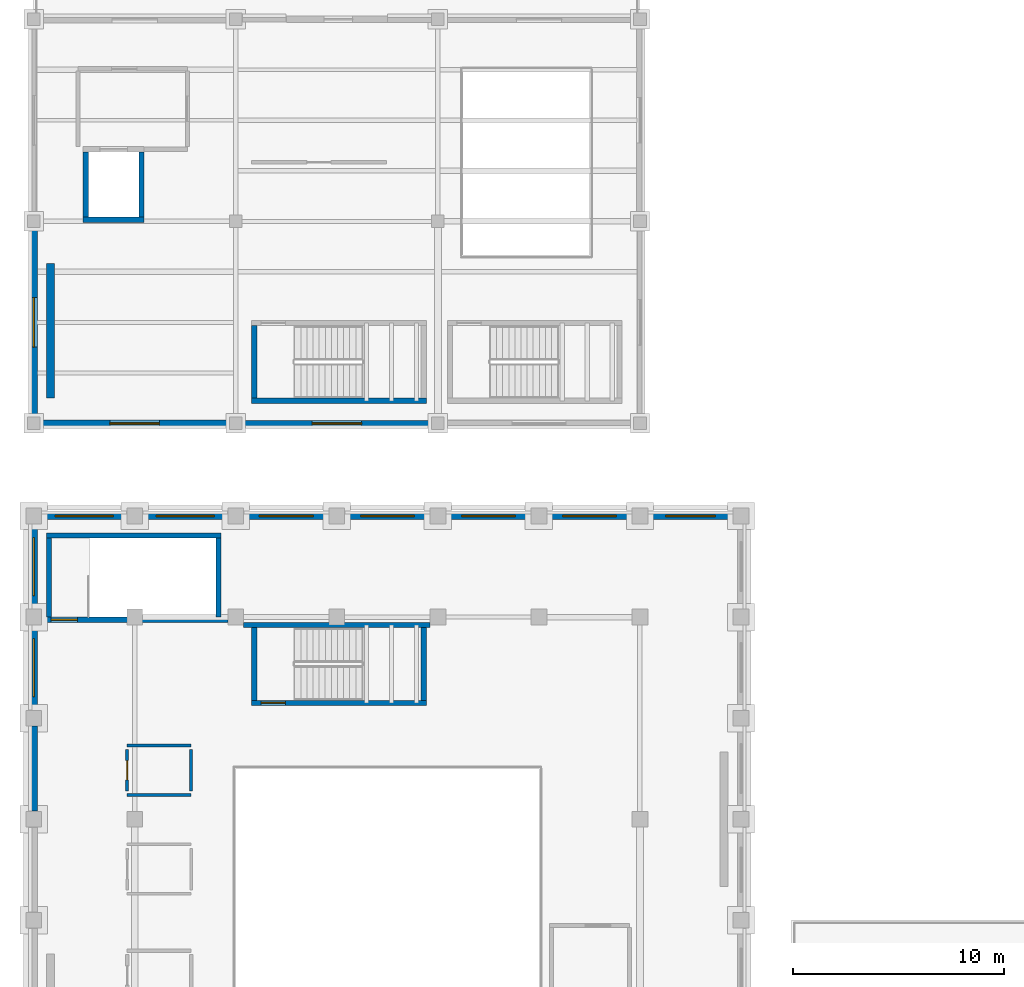
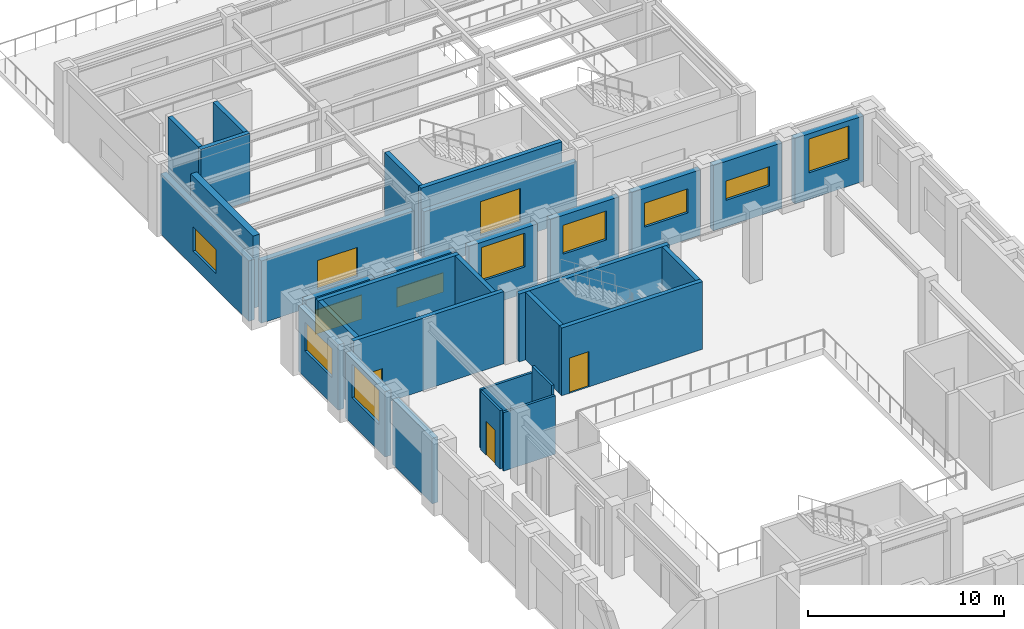
# One storey, part 31 of 46: 31 walls, 12 windows, 3 doors, 15 openings.
"""IFC4 building model written with IfcOpenShell, lengths in metres."""

from ifc_helpers import new_model, si_unit, direction, frame, frame_2d, origin, place, context, subcontext, project, spatial, rectangle, extrude, material, layer, layer_set, type_object, element, fill, save


model = new_model("IFC4")

# Units and contexts
model_context = context("Model", 3, precision=1e-05, world=origin(), true_north=direction((0.0, 1.0)))
body_context = subcontext(model_context, "Body", "Model", "MODEL_VIEW")
ifc_project = project(units=[si_unit("LENGTHUNIT", "METRE"), si_unit("AREAUNIT", "SQUARE_METRE"), si_unit("VOLUMEUNIT", "CUBIC_METRE"), si_unit("PLANEANGLEUNIT", "RADIAN"), si_unit("MASSUNIT", "GRAM", prefix="KILO")], contexts=[model_context])

# Site, building, storey
site_placement = place(None, origin())
site = spatial("IfcSite", under=ifc_project, at=site_placement, CompositionType="ELEMENT")
building_placement = place(site_placement, origin())
building = spatial("IfcBuilding", under=site, at=building_placement, Name="Mavantir Sound Aquarium", CompositionType="ELEMENT")
storey_placement = place(building_placement, frame((0.0, 0.0, 15.300048828125)))
storey = spatial("IfcBuildingStorey", under=building, at=storey_placement, Name="L03", CompositionType="ELEMENT", Elevation=15.300048828125)

# Wall, opening, window
ifc_material_1 = material(Name="Coral-Buff Architectural Precast Concrete C40/50", Category="concrete")
ifc_layer_1 = layer(ifc_material_1, 0.31005859375, Name="Coral-Buff Architectural Precast Concrete C40/50")
ifc_layer_set_1 = layer_set([ifc_layer_1], Name="Coral-Buff Architectural Precast Concrete C40/50")
wall_type_1 = type_object("IfcWallType", Name="EW-CORAL-310", PredefinedType="SOLIDWALL", material=ifc_layer_set_1)
wall_1_placement = place(storey_placement, frame((0.30810546875, 83.60009765625, 0.0), z_axis=(0.0, 0.0, 1.0), x_axis=(1.0, 0.0, 0.0)))
wall_1 = element("IfcWall", 1, at=wall_1_placement, inside=storey, type_object=wall_type_1, Name="L03 exterior facade wall EW-02 374", PredefinedType="SOLIDWALL", context=body_context, shape_type="SweptSolid", body=[
    extrude(rectangle(XDim=8.98388671875, YDim=0.31005859375, at=frame_2d((4.491943359375, 0.0))), origin(), (0.0, 0.0, 1.0), 3.8779296875),
])
opening_1_placement = place(wall_1_placement, frame((3.31689453125, 0.0, 0.949951171875)))
opening_1 = element("IfcOpeningElement", 2, at=opening_1_placement, cuts=wall_1, Name="Opening W-31", PredefinedType="OPENING", context=body_context, shape_type="SweptSolid", body=[
    extrude(rectangle(XDim=2.35009765625, YDim=1.800048828125, at=frame_2d((1.175048828125, 0.89990234375))), frame((0.0, 0.1650390625, 0.0), z_axis=(0.0, -1.0, 0.0), x_axis=(1.0, 0.0, 0.0)), (0.0, 0.0, 1.0), 0.330078125),
])
ifc_material_2 = material(Name="Thermally Broken Aluminium and Low-E Glass", Category="aluminium")
window_type_1 = type_object("IfcWindowType", Name="WIN-EXT-31", PartitioningType="DOUBLE_PANEL_VERTICAL", PredefinedType="WINDOW", material=ifc_material_2)
window_1_placement = place(opening_1_placement, origin())
window_1 = element("IfcWindow", 3, at=window_1_placement, inside=storey, type_object=window_type_1, Name="L03 facade window W-31 175", OverallHeight=1.800048828125, OverallWidth=2.35009765625, PartitioningType="SINGLE_PANEL", PredefinedType="WINDOW", context=body_context, shape_type="SweptSolid", body=[
    extrude(rectangle(XDim=2.35009765625, YDim=1.800048828125, at=frame_2d((1.175048828125, 0.89990234375))), frame((0.0, 0.030029296875, 0.0), z_axis=(0.0, -1.0, 0.0), x_axis=(1.0, 0.0, 0.0)), (0.0, 0.0, 1.0), 0.06005859375),
])
fill(opening_1, window_1)

ifc_layer_2 = layer(ifc_material_1, 0.340087890625, Name="Coral-Buff Architectural Precast Concrete C40/50")
ifc_layer_set_2 = layer_set([ifc_layer_2], Name="Coral-Buff Architectural Precast Concrete C40/50")
wall_type_2 = type_object("IfcWallType", Name="EW-CORAL-340", PredefinedType="SOLIDWALL", material=ifc_layer_set_2)
wall_2_placement = place(storey_placement, frame((33.217041015625, 79.199951171875, 0.0), z_axis=(0.0, 0.0, 1.0), x_axis=(-1.0, 0.0, 0.0)))
wall_2 = element("IfcWall", 4, at=wall_2_placement, inside=storey, type_object=wall_type_2, Name="L03 exterior facade wall EW-01 309", PredefinedType="SOLIDWALL", context=body_context, shape_type="SweptSolid", body=[
    extrude(rectangle(XDim=4.033935546875, YDim=0.340087890625, at=frame_2d((2.01708984375, 0.0))), origin(), (0.0, 0.0, 1.0), 4.074951171875),
])
opening_2_placement = place(wall_2_placement, frame((0.842041015625, 0.0, 1.64990234375)))
opening_2 = element("IfcOpeningElement", 5, at=opening_2_placement, cuts=wall_2, Name="Opening W-32", PredefinedType="OPENING", context=body_context, shape_type="SweptSolid", body=[
    extrude(rectangle(XDim=2.35009765625, YDim=2.10009765625, at=frame_2d((1.175048828125, 1.050048828125))), frame((0.0, 0.18017578125, 0.0), z_axis=(0.0, -1.0, 0.0), x_axis=(1.0, 0.0, 0.0)), (0.0, 0.0, 1.0), 0.360107421875),
])
window_type_2 = type_object("IfcWindowType", Name="WIN-EXT-32", PartitioningType="DOUBLE_PANEL_VERTICAL", PredefinedType="WINDOW", material=ifc_material_2)
window_2_placement = place(opening_2_placement, origin())
window_2 = element("IfcWindow", 6, at=window_2_placement, inside=storey, type_object=window_type_2, Name="L03 facade window W-32 128", OverallHeight=2.10009765625, OverallWidth=2.35009765625, PartitioningType="SINGLE_PANEL", PredefinedType="WINDOW", context=body_context, shape_type="SweptSolid", body=[
    extrude(rectangle(XDim=2.35009765625, YDim=2.10009765625, at=frame_2d((1.175048828125, 1.050048828125))), frame((0.0, 0.030029296875, 0.0), z_axis=(0.0, -1.0, 0.0), x_axis=(1.0, 0.0, 0.0)), (0.0, 0.0, 1.0), 0.06005859375),
])
fill(opening_2, window_2)

wall_3_placement = place(storey_placement, frame((28.4169921875, 79.199951171875, 0.0), z_axis=(0.0, 0.0, 1.0), x_axis=(-1.0, 0.0, 0.0)))
wall_3 = element("IfcWall", 7, at=wall_3_placement, inside=storey, type_object=wall_type_2, Name="L03 exterior facade wall EW-01 310", PredefinedType="SOLIDWALL", context=body_context, shape_type="SweptSolid", body=[
    extrude(rectangle(XDim=4.033935546875, YDim=0.340087890625, at=frame_2d((2.01708984375, 0.0))), origin(), (0.0, 0.0, 1.0), 4.074951171875),
])
opening_3_placement = place(wall_3_placement, frame((0.741943359375, 0.0, 1.64990234375)))
opening_3 = element("IfcOpeningElement", 8, at=opening_3_placement, cuts=wall_3, Name="Opening W-33", PredefinedType="OPENING", context=body_context, shape_type="SweptSolid", body=[
    extrude(rectangle(XDim=2.550048828125, YDim=1.199951171875, at=frame_2d((1.27490234375, 0.60009765625))), frame((0.0, 0.18017578125, 0.0), z_axis=(0.0, -1.0, 0.0), x_axis=(1.0, 0.0, 0.0)), (0.0, 0.0, 1.0), 0.360107421875),
])
window_type_3 = type_object("IfcWindowType", Name="WIN-EXT-33", PartitioningType="TRIPLE_PANEL_VERTICAL", PredefinedType="WINDOW", material=ifc_material_2)
window_3_placement = place(opening_3_placement, origin())
window_3 = element("IfcWindow", 9, at=window_3_placement, inside=storey, type_object=window_type_3, Name="L03 facade window W-33 129", OverallHeight=1.199951171875, OverallWidth=2.550048828125, PartitioningType="SINGLE_PANEL", PredefinedType="WINDOW", context=body_context, shape_type="SweptSolid", body=[
    extrude(rectangle(XDim=2.550048828125, YDim=1.199951171875, at=frame_2d((1.27490234375, 0.60009765625))), frame((0.0, 0.030029296875, 0.0), z_axis=(0.0, -1.0, 0.0), x_axis=(1.0, 0.0, 0.0)), (0.0, 0.0, 1.0), 0.06005859375),
])
fill(opening_3, window_3)

wall_4_placement = place(storey_placement, frame((23.616943359375, 79.199951171875, 0.0), z_axis=(0.0, 0.0, 1.0), x_axis=(-1.0, 0.0, 0.0)))
wall_4 = element("IfcWall", 10, at=wall_4_placement, inside=storey, type_object=wall_type_2, Name="L03 exterior facade wall EW-01 311", PredefinedType="SOLIDWALL", context=body_context, shape_type="SweptSolid", body=[
    extrude(rectangle(XDim=4.033935546875, YDim=0.340087890625, at=frame_2d((2.01708984375, 0.0))), origin(), (0.0, 0.0, 1.0), 4.074951171875),
])
opening_4_placement = place(wall_4_placement, frame((0.741943359375, 0.0, 1.64990234375)))
opening_4 = element("IfcOpeningElement", 11, at=opening_4_placement, cuts=wall_4, Name="Opening W-34", PredefinedType="OPENING", context=body_context, shape_type="SweptSolid", body=[
    extrude(rectangle(XDim=2.550048828125, YDim=1.5, at=frame_2d((1.27490234375, 0.75))), frame((0.0, 0.18017578125, 0.0), z_axis=(0.0, -1.0, 0.0), x_axis=(1.0, 0.0, 0.0)), (0.0, 0.0, 1.0), 0.360107421875),
])
window_type_4 = type_object("IfcWindowType", Name="WIN-EXT-34", PartitioningType="TRIPLE_PANEL_VERTICAL", PredefinedType="WINDOW", material=ifc_material_2)
window_4_placement = place(opening_4_placement, origin())
window_4 = element("IfcWindow", 12, at=window_4_placement, inside=storey, type_object=window_type_4, Name="L03 facade window W-34 130", OverallHeight=1.5, OverallWidth=2.550048828125, PartitioningType="SINGLE_PANEL", PredefinedType="WINDOW", context=body_context, shape_type="SweptSolid", body=[
    extrude(rectangle(XDim=2.550048828125, YDim=1.5, at=frame_2d((1.27490234375, 0.75))), frame((0.0, 0.030029296875, 0.0), z_axis=(0.0, -1.0, 0.0), x_axis=(1.0, 0.0, 0.0)), (0.0, 0.0, 1.0), 0.06005859375),
])
fill(opening_4, window_4)

wall_5_placement = place(storey_placement, frame((18.81689453125, 79.199951171875, 0.0), z_axis=(0.0, 0.0, 1.0), x_axis=(-1.0, 0.0, 0.0)))
wall_5 = element("IfcWall", 13, at=wall_5_placement, inside=storey, type_object=wall_type_2, Name="L03 exterior facade wall EW-01 312", PredefinedType="SOLIDWALL", context=body_context, shape_type="SweptSolid", body=[
    extrude(rectangle(XDim=4.033935546875, YDim=0.340087890625, at=frame_2d((2.01708984375, 0.0))), origin(), (0.0, 0.0, 1.0), 4.074951171875),
])
opening_5_placement = place(wall_5_placement, frame((0.741943359375, 0.0, 1.64990234375)))
opening_5 = element("IfcOpeningElement", 14, at=opening_5_placement, cuts=wall_5, Name="Opening W-35", PredefinedType="OPENING", context=body_context, shape_type="SweptSolid", body=[
    extrude(rectangle(XDim=2.550048828125, YDim=1.800048828125, at=frame_2d((1.27490234375, 0.89990234375))), frame((0.0, 0.18017578125, 0.0), z_axis=(0.0, -1.0, 0.0), x_axis=(1.0, 0.0, 0.0)), (0.0, 0.0, 1.0), 0.360107421875),
])
window_type_5 = type_object("IfcWindowType", Name="WIN-EXT-35", PartitioningType="TRIPLE_PANEL_VERTICAL", PredefinedType="WINDOW", material=ifc_material_2)
window_5_placement = place(opening_5_placement, origin())
window_5 = element("IfcWindow", 15, at=window_5_placement, inside=storey, type_object=window_type_5, Name="L03 facade window W-35 131", OverallHeight=1.800048828125, OverallWidth=2.550048828125, PartitioningType="SINGLE_PANEL", PredefinedType="WINDOW", context=body_context, shape_type="SweptSolid", body=[
    extrude(rectangle(XDim=2.550048828125, YDim=1.800048828125, at=frame_2d((1.27490234375, 0.89990234375))), frame((0.0, 0.030029296875, 0.0), z_axis=(0.0, -1.0, 0.0), x_axis=(1.0, 0.0, 0.0)), (0.0, 0.0, 1.0), 0.06005859375),
])
fill(opening_5, window_5)

wall_6_placement = place(storey_placement, frame((14.01708984375, 79.199951171875, 0.0), z_axis=(0.0, 0.0, 1.0), x_axis=(-1.0, 0.0, 0.0)))
wall_6 = element("IfcWall", 16, at=wall_6_placement, inside=storey, type_object=wall_type_2, Name="L03 exterior facade wall EW-01 313", PredefinedType="SOLIDWALL", context=body_context, shape_type="SweptSolid", body=[
    extrude(rectangle(XDim=4.0341796875, YDim=0.340087890625, at=frame_2d((2.01708984375, 0.0))), origin(), (0.0, 0.0, 1.0), 4.074951171875),
])
opening_6_placement = place(wall_6_placement, frame((0.741943359375, 0.0, 1.64990234375)))
opening_6 = element("IfcOpeningElement", 17, at=opening_6_placement, cuts=wall_6, Name="Opening W-36", PredefinedType="OPENING", context=body_context, shape_type="SweptSolid", body=[
    extrude(rectangle(XDim=2.550048828125, YDim=2.10009765625, at=frame_2d((1.27490234375, 1.050048828125))), frame((0.0, 0.18017578125, 0.0), z_axis=(0.0, -1.0, 0.0), x_axis=(1.0, 0.0, 0.0)), (0.0, 0.0, 1.0), 0.360107421875),
])
window_type_6 = type_object("IfcWindowType", Name="WIN-EXT-36", PartitioningType="TRIPLE_PANEL_VERTICAL", PredefinedType="WINDOW", material=ifc_material_2)
window_6_placement = place(opening_6_placement, origin())
window_6 = element("IfcWindow", 18, at=window_6_placement, inside=storey, type_object=window_type_6, Name="L03 facade window W-36 132", OverallHeight=2.10009765625, OverallWidth=2.550048828125, PartitioningType="SINGLE_PANEL", PredefinedType="WINDOW", context=body_context, shape_type="SweptSolid", body=[
    extrude(rectangle(XDim=2.550048828125, YDim=2.10009765625, at=frame_2d((1.27490234375, 1.050048828125))), frame((0.0, 0.030029296875, 0.0), z_axis=(0.0, -1.0, 0.0), x_axis=(1.0, 0.0, 0.0)), (0.0, 0.0, 1.0), 0.06005859375),
])
fill(opening_6, window_6)

wall_7_placement = place(storey_placement, frame((9.217041015625, 79.199951171875, 0.0), z_axis=(0.0, 0.0, 1.0), x_axis=(-1.0, 0.0, 0.0)))
wall_7 = element("IfcWall", 19, at=wall_7_placement, inside=storey, type_object=wall_type_2, Name="L03 exterior facade wall EW-01 314", PredefinedType="SOLIDWALL", context=body_context, shape_type="SweptSolid", body=[
    extrude(rectangle(XDim=4.033935546875, YDim=0.340087890625, at=frame_2d((2.01708984375, 0.0))), origin(), (0.0, 0.0, 1.0), 4.074951171875),
])
opening_7_placement = place(wall_7_placement, frame((0.64208984375, 0.0, 1.64990234375)))
opening_7 = element("IfcOpeningElement", 20, at=opening_7_placement, cuts=wall_7, Name="Opening W-37", PredefinedType="OPENING", context=body_context, shape_type="SweptSolid", body=[
    extrude(rectangle(XDim=2.75, YDim=1.199951171875, at=frame_2d((1.375, 0.60009765625))), frame((0.0, 0.18017578125, 0.0), z_axis=(0.0, -1.0, 0.0), x_axis=(1.0, 0.0, 0.0)), (0.0, 0.0, 1.0), 0.360107421875),
])
window_type_7 = type_object("IfcWindowType", Name="WIN-EXT-37", PartitioningType="TRIPLE_PANEL_VERTICAL", PredefinedType="WINDOW", material=ifc_material_2)
window_7_placement = place(opening_7_placement, origin())
window_7 = element("IfcWindow", 21, at=window_7_placement, inside=storey, type_object=window_type_7, Name="L03 facade window W-37 133", OverallHeight=1.199951171875, OverallWidth=2.75, PartitioningType="SINGLE_PANEL", PredefinedType="WINDOW", context=body_context, shape_type="SweptSolid", body=[
    extrude(rectangle(XDim=2.75, YDim=1.199951171875, at=frame_2d((1.375, 0.60009765625))), frame((0.0, 0.030029296875, 0.0), z_axis=(0.0, -1.0, 0.0), x_axis=(1.0, 0.0, 0.0)), (0.0, 0.0, 1.0), 0.06005859375),
])
fill(opening_7, window_7)

wall_8_placement = place(storey_placement, frame((4.4169921875, 79.199951171875, 0.0), z_axis=(0.0, 0.0, 1.0), x_axis=(-1.0, 0.0, 0.0)))
wall_8 = element("IfcWall", 22, at=wall_8_placement, inside=storey, type_object=wall_type_2, Name="L03 exterior facade wall EW-01 315", PredefinedType="SOLIDWALL", context=body_context, shape_type="SweptSolid", body=[
    extrude(rectangle(XDim=4.033935546875, YDim=0.340087890625, at=frame_2d((2.01708984375, 0.0))), origin(), (0.0, 0.0, 1.0), 4.074951171875),
])
opening_8_placement = place(wall_8_placement, frame((0.64208984375, 0.0, 1.64990234375)))
opening_8 = element("IfcOpeningElement", 23, at=opening_8_placement, cuts=wall_8, Name="Opening W-38", PredefinedType="OPENING", context=body_context, shape_type="SweptSolid", body=[
    extrude(rectangle(XDim=2.75, YDim=1.5, at=frame_2d((1.375, 0.75))), frame((0.0, 0.18017578125, 0.0), z_axis=(0.0, -1.0, 0.0), x_axis=(1.0, 0.0, 0.0)), (0.0, 0.0, 1.0), 0.360107421875),
])
window_type_8 = type_object("IfcWindowType", Name="WIN-EXT-38", PartitioningType="TRIPLE_PANEL_VERTICAL", PredefinedType="WINDOW", material=ifc_material_2)
window_8_placement = place(opening_8_placement, origin())
window_8 = element("IfcWindow", 24, at=window_8_placement, inside=storey, type_object=window_type_8, Name="L03 facade window W-38 134", OverallHeight=1.5, OverallWidth=2.75, PartitioningType="SINGLE_PANEL", PredefinedType="WINDOW", context=body_context, shape_type="SweptSolid", body=[
    extrude(rectangle(XDim=2.75, YDim=1.5, at=frame_2d((1.375, 0.75))), frame((0.0, 0.030029296875, 0.0), z_axis=(0.0, -1.0, 0.0), x_axis=(1.0, 0.0, 0.0)), (0.0, 0.0, 1.0), 0.06005859375),
])
fill(opening_8, window_8)

wall_9_placement = place(storey_placement, frame((0.0, 78.81689453125, 0.0), z_axis=(0.0, 0.0, 1.0), x_axis=(0.0, -1.0, 0.0)))
wall_9 = element("IfcWall", 25, at=wall_9_placement, inside=storey, type_object=wall_type_2, Name="L03 exterior facade wall EW-01 316", PredefinedType="SOLIDWALL", context=body_context, shape_type="SweptSolid", body=[
    extrude(rectangle(XDim=4.033935546875, YDim=0.340087890625, at=frame_2d((2.01708984375, 0.0))), origin(), (0.0, 0.0, 1.0), 4.074951171875),
])
opening_9_placement = place(wall_9_placement, frame((0.64208984375, 0.0, 1.64990234375)))
opening_9 = element("IfcOpeningElement", 26, at=opening_9_placement, cuts=wall_9, Name="Opening W-39", PredefinedType="OPENING", context=body_context, shape_type="SweptSolid", body=[
    extrude(rectangle(XDim=2.75, YDim=1.800048828125, at=frame_2d((1.375, 0.89990234375))), frame((0.0, 0.18017578125, 0.0), z_axis=(0.0, -1.0, 0.0), x_axis=(1.0, 0.0, 0.0)), (0.0, 0.0, 1.0), 0.360107421875),
])
window_type_9 = type_object("IfcWindowType", Name="WIN-EXT-39", PartitioningType="TRIPLE_PANEL_VERTICAL", PredefinedType="WINDOW", material=ifc_material_2)
window_9_placement = place(opening_9_placement, origin())
window_9 = element("IfcWindow", 27, at=window_9_placement, inside=storey, type_object=window_type_9, Name="L03 facade window W-39 135", OverallHeight=1.800048828125, OverallWidth=2.75, PartitioningType="SINGLE_PANEL", PredefinedType="WINDOW", context=body_context, shape_type="SweptSolid", body=[
    extrude(rectangle(XDim=2.75, YDim=1.800048828125, at=frame_2d((1.375, 0.89990234375))), frame((0.0, 0.030029296875, 0.0), z_axis=(0.0, -1.0, 0.0), x_axis=(1.0, 0.0, 0.0)), (0.0, 0.0, 1.0), 0.06005859375),
])
fill(opening_9, window_9)

wall_10_placement = place(storey_placement, frame((0.0, 74.01708984375, 0.0), z_axis=(0.0, 0.0, 1.0), x_axis=(0.0, -1.0, 0.0)))
wall_10 = element("IfcWall", 28, at=wall_10_placement, inside=storey, type_object=wall_type_2, Name="L03 exterior facade wall EW-01 317", PredefinedType="SOLIDWALL", context=body_context, shape_type="SweptSolid", body=[
    extrude(rectangle(XDim=4.0341796875, YDim=0.340087890625, at=frame_2d((2.01708984375, 0.0))), origin(), (0.0, 0.0, 1.0), 4.074951171875),
])
opening_10_placement = place(wall_10_placement, frame((0.64208984375, 0.0, 1.64990234375)))
opening_10 = element("IfcOpeningElement", 29, at=opening_10_placement, cuts=wall_10, Name="Opening W-40", PredefinedType="OPENING", context=body_context, shape_type="SweptSolid", body=[
    extrude(rectangle(XDim=2.75, YDim=2.10009765625, at=frame_2d((1.375, 1.050048828125))), frame((0.0, 0.18017578125, 0.0), z_axis=(0.0, -1.0, 0.0), x_axis=(1.0, 0.0, 0.0)), (0.0, 0.0, 1.0), 0.360107421875),
])
window_type_10 = type_object("IfcWindowType", Name="WIN-EXT-40", PartitioningType="TRIPLE_PANEL_VERTICAL", PredefinedType="WINDOW", material=ifc_material_2)
window_10_placement = place(opening_10_placement, origin())
window_10 = element("IfcWindow", 30, at=window_10_placement, inside=storey, type_object=window_type_10, Name="L03 facade window W-40 136", OverallHeight=2.10009765625, OverallWidth=2.75, PartitioningType="SINGLE_PANEL", PredefinedType="WINDOW", context=body_context, shape_type="SweptSolid", body=[
    extrude(rectangle(XDim=2.75, YDim=2.10009765625, at=frame_2d((1.375, 1.050048828125))), frame((0.0, 0.030029296875, 0.0), z_axis=(0.0, -1.0, 0.0), x_axis=(1.0, 0.0, 0.0)), (0.0, 0.0, 1.0), 0.06005859375),
])
fill(opening_10, window_10)

# Wall
wall_11_placement = place(storey_placement, frame((0.0, 69.217041015625, 0.0), z_axis=(0.0, 0.0, 1.0), x_axis=(0.0, -1.0, 0.0)))
element("IfcWall", 31, at=wall_11_placement, inside=storey, type_object=wall_type_2, Name="L03 exterior facade wall EW-01 318", PredefinedType="SOLIDWALL", context=body_context, shape_type="SweptSolid", body=[
    extrude(rectangle(XDim=4.033935546875, YDim=0.340087890625, at=frame_2d((2.01708984375, 0.0))), origin(), (0.0, 0.0, 1.0), 4.074951171875),
])

# Wall, opening, window
wall_12_placement = place(storey_placement, frame((0.0, 92.89208984375, 0.0), z_axis=(0.0, 0.0, 1.0), x_axis=(0.0, -1.0, 0.0)))
wall_12 = element("IfcWall", 32, at=wall_12_placement, inside=storey, type_object=wall_type_2, Name="L03 exterior facade wall EW-01 373", PredefinedType="SOLIDWALL", context=body_context, shape_type="SweptSolid", body=[
    extrude(rectangle(XDim=8.984130859375, YDim=0.340087890625, at=frame_2d((4.4921875, 0.0))), origin(), (0.0, 0.0, 1.0), 3.76904296875),
])
opening_11_placement = place(wall_12_placement, frame((3.31689453125, 0.0, 0.949951171875)))
opening_11 = element("IfcOpeningElement", 33, at=opening_11_placement, cuts=wall_12, Name="Opening W-30", PredefinedType="OPENING", context=body_context, shape_type="SweptSolid", body=[
    extrude(rectangle(XDim=2.35009765625, YDim=1.5, at=frame_2d((1.175048828125, 0.75))), frame((0.0, 0.18017578125, 0.0), z_axis=(0.0, -1.0, 0.0), x_axis=(1.0, 0.0, 0.0)), (0.0, 0.0, 1.0), 0.360107421875),
])
window_type_11 = type_object("IfcWindowType", Name="WIN-EXT-30", PartitioningType="DOUBLE_PANEL_VERTICAL", PredefinedType="WINDOW", material=ifc_material_2)
window_11_placement = place(opening_11_placement, origin())
window_11 = element("IfcWindow", 34, at=window_11_placement, inside=storey, type_object=window_type_11, Name="L03 facade window W-30 174", OverallHeight=1.5, OverallWidth=2.35009765625, PartitioningType="SINGLE_PANEL", PredefinedType="WINDOW", context=body_context, shape_type="SweptSolid", body=[
    extrude(rectangle(XDim=2.35009765625, YDim=1.5, at=frame_2d((1.175048828125, 0.75))), frame((0.0, 0.030029296875, 0.0), z_axis=(0.0, -1.0, 0.0), x_axis=(1.0, 0.0, 0.0)), (0.0, 0.0, 1.0), 0.06005859375),
])
fill(opening_11, window_11)

ifc_material_3 = material(Name="Turquoise Glazed Terracotta Rainscreen on Concrete C40/50", Category="masonry")
ifc_layer_3 = layer(ifc_material_3, 0.2900390625, Name="Turquoise Glazed Terracotta Rainscreen on Concrete C40/50")
ifc_layer_set_3 = layer_set([ifc_layer_3], Name="Turquoise Glazed Terracotta Rainscreen on Concrete C40/50")
wall_type_3 = type_object("IfcWallType", Name="EW-TERRA-290", PredefinedType="SOLIDWALL", material=ifc_layer_set_3)
wall_13_placement = place(storey_placement, frame((9.907958984375, 83.60009765625, 0.0), z_axis=(0.0, 0.0, 1.0), x_axis=(1.0, 0.0, 0.0)))
wall_13 = element("IfcWall", 35, at=wall_13_placement, inside=storey, type_object=wall_type_3, Name="L03 exterior facade wall EW-03 375", PredefinedType="SOLIDWALL", context=body_context, shape_type="SweptSolid", body=[
    extrude(rectangle(XDim=8.984130859375, YDim=0.2900390625, at=frame_2d((4.4921875, 0.0))), origin(), (0.0, 0.0, 1.0), 3.574951171875),
])
opening_12_placement = place(wall_13_placement, frame((3.31689453125, 0.0, 0.949951171875)))
opening_12 = element("IfcOpeningElement", 36, at=opening_12_placement, cuts=wall_13, Name="Opening W-32", PredefinedType="OPENING", context=body_context, shape_type="SweptSolid", body=[
    extrude(rectangle(XDim=2.35009765625, YDim=2.10009765625, at=frame_2d((1.175048828125, 1.050048828125))), frame((0.0, 0.155029296875, 0.0), z_axis=(0.0, -1.0, 0.0), x_axis=(1.0, 0.0, 0.0)), (0.0, 0.0, 1.0), 0.31005859375),
])
window_12_placement = place(opening_12_placement, origin())
window_12 = element("IfcWindow", 37, at=window_12_placement, inside=storey, type_object=window_type_2, Name="L03 facade window W-32 176", OverallHeight=2.10009765625, OverallWidth=2.35009765625, PartitioningType="SINGLE_PANEL", PredefinedType="WINDOW", context=body_context, shape_type="SweptSolid", body=[
    extrude(rectangle(XDim=2.35009765625, YDim=2.10009765625, at=frame_2d((1.175048828125, 1.050048828125))), frame((0.0, 0.030029296875, 0.0), z_axis=(0.0, -1.0, 0.0), x_axis=(1.0, 0.0, 0.0)), (0.0, 0.0, 1.0), 0.06005859375),
])
fill(opening_12, window_12)

# Walls
ifc_material_4 = material(Name="Moisture-Resistant Marine Gypsum Partition", Category="gypsum")
ifc_layer_4 = layer(ifc_material_4, 0.139892578125, Name="Moisture-Resistant Marine Gypsum Partition")
ifc_layer_set_4 = layer_set([ifc_layer_4], Name="Moisture-Resistant Marine Gypsum Partition")
wall_type_4 = type_object("IfcWallType", Name="IW-PART-140", PredefinedType="PARTITIONING", material=ifc_layer_set_4)
for number, where, z_axis, x_axis, name in (
    (38, (4.43994140625, 68.300048828125, 0.0), (0.0, 0.0, 1.0), (1.0, 0.0, 0.0), "L03 L03 Accessible WC partition N"),
    (39, (4.43994140625, 65.949951171875, 0.0), (0.0, 0.0, 1.0), (1.0, 0.0, 0.0), "L03 L03 Accessible WC partition S"),
):
    element("IfcWall", number, at=place(storey_placement, frame(where, z_axis=z_axis, x_axis=x_axis)), inside=storey, type_object=wall_type_4, Name=name, PredefinedType="PARTITIONING", context=body_context, shape_type="SweptSolid", body=[
        extrude(rectangle(XDim=3.0400390625, YDim=0.139892578125, at=frame_2d((1.52001953125, 0.0))), origin(), (0.0, 0.0, 1.0), 3.641845703125),
    ])

# Wall, opening, door
wall_14_placement = place(storey_placement, frame((4.43994140625, 66.1298828125, 0.0), z_axis=(0.0, 0.0, 1.0), x_axis=(0.0, 1.0, 0.0)))
wall_14 = element("IfcWall", 40, at=wall_14_placement, inside=storey, type_object=wall_type_4, Name="L03 L03 Accessible WC partition W", PredefinedType="PARTITIONING", context=body_context, shape_type="SweptSolid", body=[
    extrude(rectangle(XDim=1.990234375, YDim=0.139892578125, at=frame_2d((0.9951171875, 0.0))), origin(), (0.0, 0.0, 1.0), 3.641845703125),
])
opening_13_placement = place(wall_14_placement, frame((0.534912109375, 0.0, 0.0)))
opening_13 = element("IfcOpeningElement", 41, at=opening_13_placement, cuts=wall_14, Name="Opening ID-01", PredefinedType="OPENING", context=body_context, shape_type="SweptSolid", body=[
    extrude(rectangle(XDim=0.919921875, YDim=2.1201171875, at=frame_2d((0.4599609375, 1.06005859375))), frame((0.0, 0.080078125, 0.0), z_axis=(0.0, -1.0, 0.0), x_axis=(1.0, 0.0, 0.0)), (0.0, 0.0, 1.0), 0.159912109375),
])
ifc_material_5 = material(Name="Solid-Core Marine Hardwood and Vision-Panel Door", Category="wood")
door_type_1 = type_object("IfcDoorType", Name="DR-INT-01", OperationType="NOTDEFINED", PredefinedType="DOOR", material=ifc_material_5)
door_1_placement = place(opening_13_placement, origin())
door_1 = element("IfcDoor", 42, at=door_1_placement, inside=storey, type_object=door_type_1, Name="L03 Accessible WC entrance door", OperationType="SINGLE_SWING_LEFT", OverallHeight=2.1201171875, OverallWidth=0.919921875, PredefinedType="DOOR", context=body_context, shape_type="SweptSolid", body=[
    extrude(rectangle(XDim=0.919921875, YDim=2.1201171875, at=frame_2d((0.4599609375, 1.06005859375))), frame((0.0, 0.02490234375, 0.0), z_axis=(0.0, -1.0, 0.0), x_axis=(1.0, 0.0, 0.0)), (0.0, 0.0, 1.0), 0.050048828125),
])
fill(opening_13, door_1)

# Wall
wall_15_placement = place(storey_placement, frame((7.47998046875, 66.1298828125, 0.0), z_axis=(0.0, 0.0, 1.0), x_axis=(0.0, 1.0, 0.0)))
element("IfcWall", 43, at=wall_15_placement, inside=storey, type_object=wall_type_4, Name="L03 L03 Accessible WC partition E", PredefinedType="PARTITIONING", context=body_context, shape_type="SweptSolid", body=[
    extrude(rectangle(XDim=1.990234375, YDim=0.139892578125, at=frame_2d((0.9951171875, 0.0))), origin(), (0.0, 0.0, 1.0), 4.139892578125),
])

# Wall, opening, door
ifc_material_6 = material(Name="Concrete C40/50", Category="concrete")
ifc_layer_5 = layer(ifc_material_6, 0.25, Name="Concrete C40/50")
ifc_layer_set_5 = layer_set([ifc_layer_5], Name="Concrete C40/50")
wall_type_5 = type_object("IfcWallType", Name="IW-SHAFT-250", PredefinedType="SHEAR", material=ifc_layer_set_5)
wall_16_placement = place(storey_placement, frame((0.375, 74.27490234375, 0.0), z_axis=(0.0, 0.0, 1.0), x_axis=(1.0, 0.0, 0.0)))
wall_16 = element("IfcWall", 44, at=wall_16_placement, inside=storey, type_object=wall_type_5, Name="L03 stair ST2 shaft wall S", PredefinedType="SHEAR", context=body_context, shape_type="SweptSolid", body=[
    extrude(rectangle(XDim=8.85009765625, YDim=0.25, at=frame_2d((4.425048828125, 0.0))), origin(), (0.0, 0.0, 1.0), 4.5),
])
opening_14_placement = place(wall_16_placement, frame((1.699951171875, 0.0, 0.0), z_axis=(0.0, 0.0, 1.0), x_axis=(-1.0, 0.0, 0.0)))
opening_14 = element("IfcOpeningElement", 45, at=opening_14_placement, cuts=wall_16, Name="Opening SD-01", PredefinedType="OPENING", context=body_context, shape_type="SweptSolid", body=[
    extrude(rectangle(XDim=1.25, YDim=2.199951171875, at=frame_2d((0.625, 1.10009765625))), frame((0.0, 0.135009765625, 0.0), z_axis=(0.0, -1.0, 0.0), x_axis=(1.0, 0.0, 0.0)), (0.0, 0.0, 1.0), 0.27001953125),
])
ifc_material_7 = material(Name="Fire-Rated Steel Acoustic Door Leaf", Category="steel")
door_type_2 = type_object("IfcDoorType", Name="DR-ST-125", OperationType="NOTDEFINED", PredefinedType="DOOR", material=ifc_material_7)
door_2_placement = place(opening_14_placement, origin())
door_2 = element("IfcDoor", 46, at=door_2_placement, inside=storey, type_object=door_type_2, Name="L03 protected exit stair ST2 door", OperationType="SINGLE_SWING_RIGHT", OverallHeight=2.199951171875, OverallWidth=1.25, PredefinedType="DOOR", context=body_context, shape_type="SweptSolid", body=[
    extrude(rectangle(XDim=1.25, YDim=2.199951171875, at=frame_2d((0.625, 1.10009765625))), frame((0.0, 0.02490234375, 0.0), z_axis=(0.0, -1.0, 0.0), x_axis=(1.0, 0.0, 0.0)), (0.0, 0.0, 1.0), 0.050048828125),
])
fill(opening_14, door_2)

# Walls
wall_17_placement = place(storey_placement, frame((8.89990234375, 78.27490234375, 0.0), z_axis=(0.0, 0.0, 1.0), x_axis=(-1.0, 0.0, 0.0)))
element("IfcWall", 47, at=wall_17_placement, inside=storey, type_object=wall_type_5, Name="L03 stair ST2 shaft wall N", PredefinedType="SHEAR", context=body_context, shape_type="SweptSolid", body=[
    extrude(rectangle(XDim=8.2998046875, YDim=0.25, at=frame_2d((4.14990234375, 0.0))), origin(), (0.0, 0.0, 1.0), 4.5),
])
for number, where, z_axis, x_axis, name in (
    (48, (0.72509765625, 78.14990234375, 0.0), (0.0, 0.0, 1.0), (0.0, -1.0, 0.0), "L03 stair ST2 shaft wall W"),
    (49, (8.77490234375, 74.39990234375, 0.0), (0.0, 0.0, 1.0), (0.0, 1.0, 0.0), "L03 stair ST2 shaft wall E"),
):
    element("IfcWall", number, at=place(storey_placement, frame(where, z_axis=z_axis, x_axis=x_axis)), inside=storey, type_object=wall_type_5, Name=name, PredefinedType="SHEAR", context=body_context, shape_type="SweptSolid", body=[
        extrude(rectangle(XDim=3.75, YDim=0.25, at=frame_2d((1.875, 0.0))), origin(), (0.0, 0.0, 1.0), 4.5),
    ])

# Wall, opening, door
wall_18_placement = place(storey_placement, frame((10.35009765625, 70.324951171875, 0.0), z_axis=(0.0, 0.0, 1.0), x_axis=(1.0, 0.0, 0.0)))
wall_18 = element("IfcWall", 50, at=wall_18_placement, inside=storey, type_object=wall_type_5, Name="L03 stair ST10 shaft wall S", PredefinedType="SHEAR", context=body_context, shape_type="SweptSolid", body=[
    extrude(rectangle(XDim=8.2998046875, YDim=0.25, at=frame_2d((4.14990234375, 0.0))), origin(), (0.0, 0.0, 1.0), 4.219970703125),
])
opening_15_placement = place(wall_18_placement, frame((1.599853515625, 0.0, 0.0), z_axis=(0.0, 0.0, 1.0), x_axis=(-1.0, 0.0, 0.0)))
opening_15 = element("IfcOpeningElement", 51, at=opening_15_placement, cuts=wall_18, Name="Opening SD-02", PredefinedType="OPENING", context=body_context, shape_type="SweptSolid", body=[
    extrude(rectangle(XDim=1.14990234375, YDim=2.199951171875, at=frame_2d((0.574951171875, 1.10009765625))), frame((0.0, 0.135009765625, 0.0), z_axis=(0.0, -1.0, 0.0), x_axis=(1.0, 0.0, 0.0)), (0.0, 0.0, 1.0), 0.27001953125),
])
door_type_3 = type_object("IfcDoorType", Name="DR-ST-115", OperationType="NOTDEFINED", PredefinedType="DOOR", material=ifc_material_7)
door_3_placement = place(opening_15_placement, origin())
door_3 = element("IfcDoor", 52, at=door_3_placement, inside=storey, type_object=door_type_3, Name="L03 protected exit stair ST10 door", OperationType="SINGLE_SWING_LEFT", OverallHeight=2.199951171875, OverallWidth=1.14990234375, PredefinedType="DOOR", context=body_context, shape_type="SweptSolid", body=[
    extrude(rectangle(XDim=1.14990234375, YDim=2.199951171875, at=frame_2d((0.574951171875, 1.10009765625))), frame((0.0, 0.02490234375, 0.0), z_axis=(0.0, -1.0, 0.0), x_axis=(1.0, 0.0, 0.0)), (0.0, 0.0, 1.0), 0.050048828125),
])
fill(opening_15, door_3)

# Walls
wall_19_placement = place(storey_placement, frame((18.824951171875, 74.02490234375, 0.0), z_axis=(0.0, 0.0, 1.0), x_axis=(-1.0, 0.0, 0.0)))
element("IfcWall", 53, at=wall_19_placement, inside=storey, type_object=wall_type_5, Name="L03 stair ST10 shaft wall N", PredefinedType="SHEAR", context=body_context, shape_type="SweptSolid", body=[
    extrude(rectangle(XDim=8.849853515625, YDim=0.25, at=frame_2d((4.4248046875, 0.0))), origin(), (0.0, 0.0, 1.0), 4.219970703125),
])
for number, where, z_axis, x_axis, name in (
    (54, (10.47509765625, 73.89990234375, 0.0), (0.0, 0.0, 1.0), (0.0, -1.0, 0.0), "L03 stair ST10 shaft wall W"),
    (55, (18.52490234375, 70.449951171875, 0.0), (0.0, 0.0, 1.0), (0.0, 1.0, 0.0), "L03 stair ST10 shaft wall E"),
):
    element("IfcWall", number, at=place(storey_placement, frame(where, z_axis=z_axis, x_axis=x_axis)), inside=storey, type_object=wall_type_5, Name=name, PredefinedType="SHEAR", context=body_context, shape_type="SweptSolid", body=[
        extrude(rectangle(XDim=3.449951171875, YDim=0.25, at=frame_2d((1.72509765625, 0.0))), origin(), (0.0, 0.0, 1.0), 4.219970703125),
    ])
wall_20_placement = place(storey_placement, frame((10.35009765625, 84.675048828125, 0.0), z_axis=(0.0, 0.0, 1.0), x_axis=(1.0, 0.0, 0.0)))
element("IfcWall", 56, at=wall_20_placement, inside=storey, type_object=wall_type_5, Name="L03 stair ST5 shaft wall S", PredefinedType="SHEAR", context=body_context, shape_type="SweptSolid", body=[
    extrude(rectangle(XDim=8.2998046875, YDim=0.25, at=frame_2d((4.14990234375, 0.0))), origin(), (0.0, 0.0, 1.0), 4.219970703125),
])
wall_21_placement = place(storey_placement, frame((10.47509765625, 88.25, 0.0), z_axis=(0.0, 0.0, 1.0), x_axis=(0.0, -1.0, 0.0)))
element("IfcWall", 57, at=wall_21_placement, inside=storey, type_object=wall_type_5, Name="L03 stair ST5 shaft wall W", PredefinedType="SHEAR", context=body_context, shape_type="SweptSolid", body=[
    extrude(rectangle(XDim=3.449951171875, YDim=0.25, at=frame_2d((1.72509765625, 0.0))), origin(), (0.0, 0.0, 1.0), 4.219970703125),
])
wall_22_placement = place(storey_placement, frame((2.35009765625, 93.27490234375, 0.0), z_axis=(0.0, 0.0, 1.0), x_axis=(1.0, 0.0, 0.0)))
element("IfcWall", 58, at=wall_22_placement, inside=storey, type_object=wall_type_5, Name="L03 lift LC2 shaft wall S", PredefinedType="SHEAR", context=body_context, shape_type="SweptSolid", body=[
    extrude(rectangle(XDim=2.89990234375, YDim=0.25, at=frame_2d((1.449951171875, 0.0))), origin(), (0.0, 0.0, 1.0), 4.219970703125),
])
for number, where, z_axis, x_axis, name in (
    (59, (2.47509765625, 93.39990234375, 0.0), (0.0, 0.0, 1.0), (0.0, 1.0, 0.0), "L03 lift LC2 shaft wall W"),
    (60, (5.125, 93.39990234375, 0.0), (0.0, 0.0, 1.0), (0.0, 1.0, 0.0), "L03 lift LC2 shaft wall E"),
):
    element("IfcWall", number, at=place(storey_placement, frame(where, z_axis=z_axis, x_axis=x_axis)), inside=storey, type_object=wall_type_5, Name=name, PredefinedType="SHEAR", context=body_context, shape_type="SweptSolid", body=[
        extrude(rectangle(XDim=3.10009765625, YDim=0.25, at=frame_2d((1.550048828125, 0.0))), origin(), (0.0, 0.0, 1.0), 4.219970703125),
    ])
ifc_layer_6 = layer(ifc_material_6, 0.3798828125, Name="Concrete C40/50")
ifc_layer_set_6 = layer_set([ifc_layer_6], Name="Concrete C40/50")
wall_type_6 = type_object("IfcWallType", Name="SW-SHR-380", PredefinedType="SHEAR", material=ifc_layer_set_6)
wall_23_placement = place(storey_placement, frame((0.800048828125, 84.800048828125, 0.0), z_axis=(0.0, 0.0, 1.0), x_axis=(0.0, 1.0, 0.0)))
element("IfcWall", 61, at=wall_23_placement, inside=storey, type_object=wall_type_6, Name="L03 special RC shear wall 35 (V5)", PredefinedType="SHEAR", context=body_context, shape_type="SweptSolid", body=[
    extrude(rectangle(XDim=6.39990234375, YDim=0.3798828125, at=frame_2d((3.199951171875, 0.0))), origin(), (0.0, 0.0, 1.0), 4.5),
])

save(model, "model.ifc")
